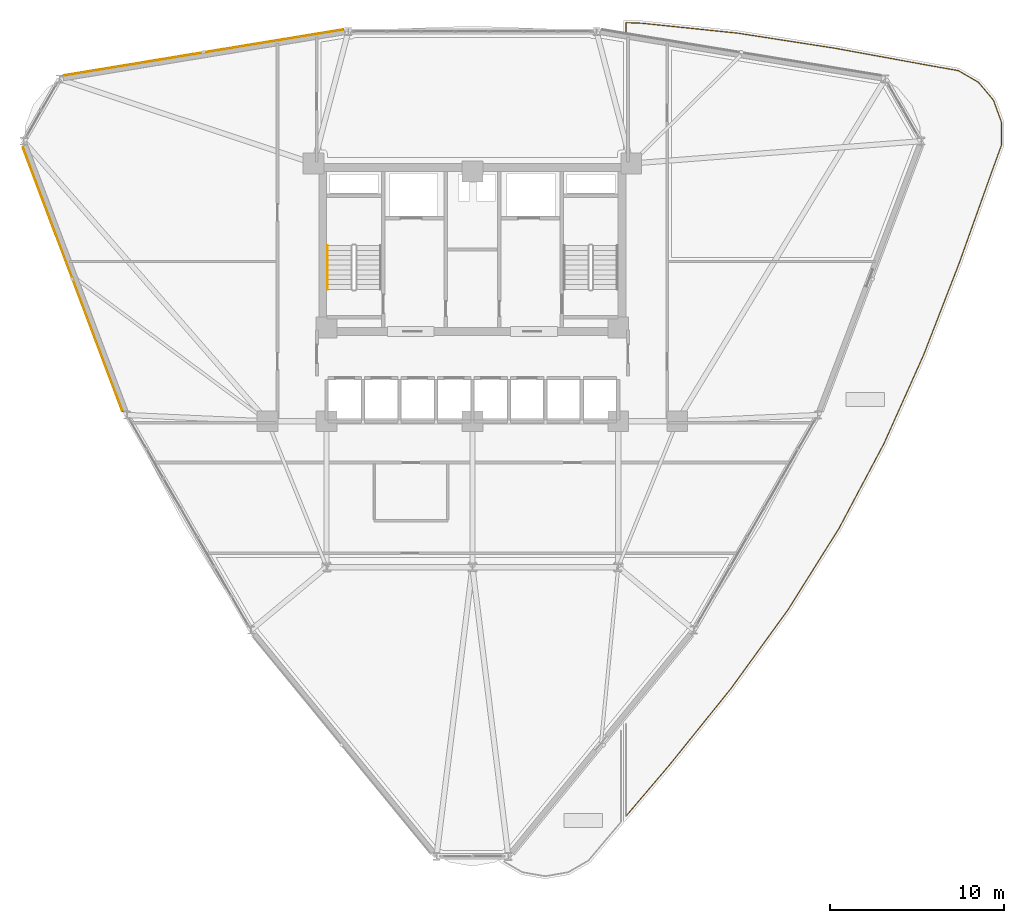
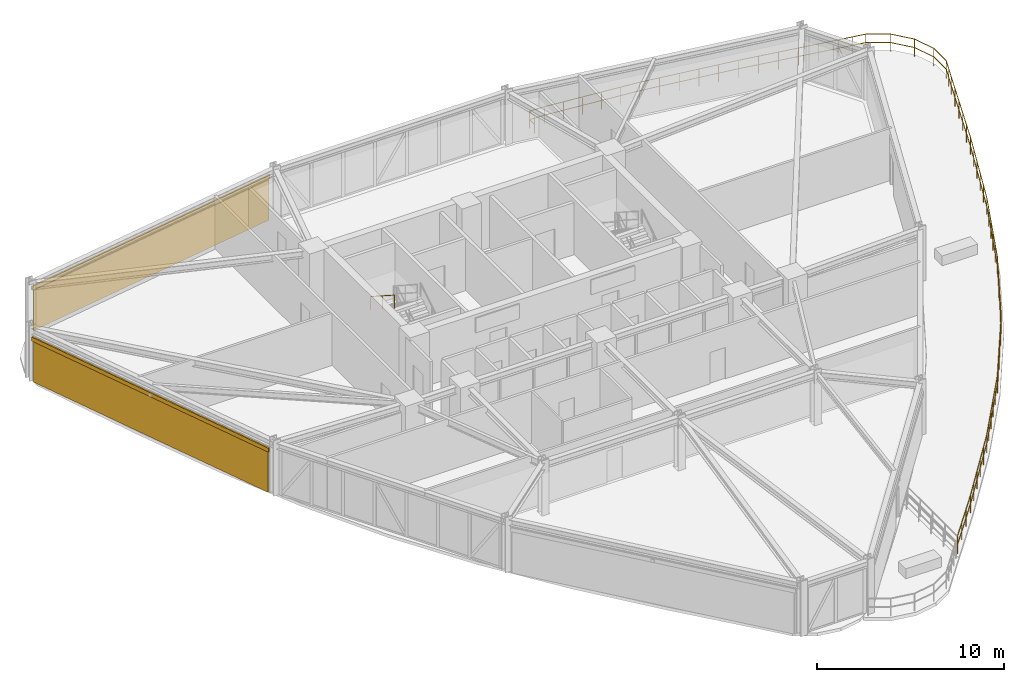
# One storey, part 22 of 23: 2 coverings, 2 railings, 2 shading devices.
"""IFC4 building model written with IfcOpenShell, lengths in metres."""

from ifc_helpers import new_model, si_unit, derived_unit, direction, frame, origin, origin_2d, place, context, subcontext, project, spatial, polyline, hollow_rectangle, circle, outline, extrude, source, transform, mapped, material, layer, layer_set, material_profile, profile_set, type_object, element, save


model = new_model("IFC4")

# Units and contexts
model_context = context("Model", 3, precision=1e-05, world=origin(), true_north=direction((0.0, 1.0)))
body_context = subcontext(model_context, "Body", "Model", "MODEL_VIEW")
ifc_project = project(units=[si_unit("LENGTHUNIT", "METRE"), si_unit("AREAUNIT", "SQUARE_METRE"), si_unit("VOLUMEUNIT", "CUBIC_METRE"), si_unit("PLANEANGLEUNIT", "RADIAN"), si_unit("MASSUNIT", "GRAM", prefix="KILO"), derived_unit("THERMALTRANSMITTANCEUNIT", [(si_unit("POWERUNIT", "WATT"), 1), (si_unit("LENGTHUNIT", "METRE"), -2), (si_unit("THERMODYNAMICTEMPERATUREUNIT", "KELVIN"), -1)])], contexts=[model_context])

# Site, building, storey
site_placement = place(None, origin())
site = spatial("IfcSite", under=ifc_project, at=site_placement, CompositionType="ELEMENT")
building_placement = place(site_placement, origin())
building = spatial("IfcBuilding", under=site, at=building_placement, Name="Korsvarv Bourse and Concert Hall", CompositionType="ELEMENT")
storey_placement = place(building_placement, frame((0.0, 0.0, 99.0)))
storey = spatial("IfcBuildingStorey", under=building, at=storey_placement, Name="L24", CompositionType="ELEMENT", Elevation=99.0)

# Coverings
ifc_material_1 = material(Name="Warm iron-oxide extruded terracotta rainscreen tile", Category="ceramic")
ifc_layer = layer(ifc_material_1, 0.044921875)
ifc_layer_set = layer_set([ifc_layer], Name="Warm iron-oxide extruded terracotta rainscreen tile")
covering_type = type_object("IfcCoveringType", Name="COV-CLD-TC", PredefinedType="CLADDING", material=ifc_layer_set)
covering_1_placement = place(storey_placement, origin())
element("IfcCovering", 1, at=covering_1_placement, inside=storey, type_object=covering_type, Name="L24 fluted terracotta cladding panel EW-L24-B04", PredefinedType="CLADDING", context=body_context, shape_type="SweptSolid", body=[
    extrude(outline(polyline([(28.535888671875, 54.9365234375), (12.48828125, 52.30078125), (12.48095703125, 52.34521484375), (28.528564453125, 54.98095703125), (28.535888671875, 54.9365234375)])), origin(), (0.0, 0.0, 1.0), 2.6298828125),
])
covering_2_placement = place(storey_placement, origin())
element("IfcCovering", 2, at=covering_2_placement, inside=storey, type_object=covering_type, Name="L24 fluted terracotta cladding panel EW-L24-B06", PredefinedType="CLADDING", context=body_context, shape_type="SweptSolid", body=[
    extrude(outline(polyline([(10.138427734375, 48.181884765625), (15.857177734375, 33.025390625), (15.81494140625, 33.009521484375), (10.09619140625, 48.166015625), (10.138427734375, 48.181884765625)])), origin(), (0.0, 0.0, 1.0), 2.6298828125),
])

# Railings
ifc_material_2 = material(Name="Laminated safety glass and stainless Steel S355 balustrade", Category="steel")
railing_type_1 = type_object("IfcRailingType", Name="RL-BAL-EXT", PredefinedType="BALUSTRADE", material=ifc_material_2)
railing_1_placement = place(storey_placement, frame((44.85009765625, 54.83984375, 0.0)))
element("IfcRailing", 3, at=railing_1_placement, inside=storey, type_object=railing_type_1, Name="L24 terrace perimeter balustrade SKYG1-2", PredefinedType="BALUSTRADE", context=body_context, shape_type="SweptSolid", body=[
    extrude(circle(Radius=0.02392578125, at=origin_2d()), frame((0.0, 0.0, 1.1259765625), z_axis=(0.0, 1.0, 0.0), x_axis=(-1.0, 0.0, 0.0)), (0.0, 0.0, 1.0), 0.524658203125),
    extrude(circle(Radius=0.02392578125, at=origin_2d()), frame((0.0, 0.0, 0.574951171875), z_axis=(0.0, 1.0, 0.0), x_axis=(-1.0, 0.0, 0.0)), (0.0, 0.0, 1.0), 0.524658203125),
    extrude(circle(Radius=0.02392578125, at=origin_2d()), frame((0.0, 0.524658203125, 1.1259765625), z_axis=(0.999330087313, -0.036597494315, 0.0), x_axis=(0.036597494315, 0.999330087313, 0.0)), (0.0, 0.0, 1.0), 0.893798828125),
    extrude(circle(Radius=0.02392578125, at=origin_2d()), frame((0.0, 0.524658203125, 0.574951171875), z_axis=(0.999330087313, -0.036597494315, 0.0), x_axis=(0.036597494315, 0.999330087313, 0.0)), (0.0, 0.0, 1.0), 0.893798828125),
    extrude(circle(Radius=0.02392578125, at=origin_2d()), frame((0.893310546875, 0.491943359375, 1.1259765625), z_axis=(0.994682223743, -0.102991619897, 0.0), x_axis=(0.102991619897, 0.994682223743, 0.0)), (0.0, 0.0, 1.0), 5.5849609375),
    extrude(circle(Radius=0.02392578125, at=origin_2d()), frame((0.893310546875, 0.491943359375, 0.574951171875), z_axis=(0.994682223743, -0.102991619897, 0.0), x_axis=(0.102991619897, 0.994682223743, 0.0)), (0.0, 0.0, 1.0), 5.5849609375),
    extrude(circle(Radius=0.02392578125, at=origin_2d()), frame((6.448486328125, -0.083251953125, 1.1259765625), z_axis=(0.988205629109, -0.153132735227, 0.0), x_axis=(0.153132735227, 0.988205629109, 0.0)), (0.0, 0.0, 1.0), 5.6455078125),
    extrude(circle(Radius=0.02392578125, at=origin_2d()), frame((6.448486328125, -0.083251953125, 0.574951171875), z_axis=(0.988205629109, -0.153132735227, 0.0), x_axis=(0.153132735227, 0.988205629109, 0.0)), (0.0, 0.0, 1.0), 5.6455078125),
    extrude(circle(Radius=0.02392578125, at=origin_2d()), frame((12.02734375, -0.94775390625, 1.1259765625), z_axis=(0.983691012335, -0.179866595707, 0.0), x_axis=(0.179866595707, 0.983691012335, 0.0)), (0.0, 0.0, 1.0), 5.692626953125),
    extrude(circle(Radius=0.02392578125, at=origin_2d()), frame((12.02734375, -0.94775390625, 0.574951171875), z_axis=(0.983691012335, -0.179866595707, 0.0), x_axis=(0.179866595707, 0.983691012335, 0.0)), (0.0, 0.0, 1.0), 5.692626953125),
    extrude(circle(Radius=0.02392578125, at=origin_2d()), frame((17.627197265625, -1.9716796875, 1.1259765625), z_axis=(0.984798007416, -0.173703438626, 0.0), x_axis=(0.173703438626, 0.984798007416, 0.0)), (0.0, 0.0, 1.0), 1.530517578125),
    extrude(circle(Radius=0.02392578125, at=origin_2d()), frame((17.627197265625, -1.9716796875, 0.574951171875), z_axis=(0.984798007416, -0.173703438626, 0.0), x_axis=(0.173703438626, 0.984798007416, 0.0)), (0.0, 0.0, 1.0), 1.530517578125),
    extrude(circle(Radius=0.02392578125, at=origin_2d()), frame((19.134521484375, -2.237548828125, 1.1259765625), z_axis=(0.86606449944, -0.499932278224, 0.0), x_axis=(0.499932278224, 0.86606449944, 0.0)), (0.0, 0.0, 1.0), 1.343017578125),
    extrude(circle(Radius=0.02392578125, at=origin_2d()), frame((19.134521484375, -2.237548828125, 0.574951171875), z_axis=(0.86606449944, -0.499932278224, 0.0), x_axis=(0.499932278224, 0.86606449944, 0.0)), (0.0, 0.0, 1.0), 1.343017578125),
    extrude(circle(Radius=0.02392578125, at=origin_2d()), frame((20.297607421875, -2.908935546875, 1.1259765625), z_axis=(0.642791253106, -0.766041385913, 0.0), x_axis=(0.766041385913, 0.642791253106, 0.0)), (0.0, 0.0, 1.0), 1.343017578125),
    extrude(circle(Radius=0.02392578125, at=origin_2d()), frame((20.297607421875, -2.908935546875, 0.574951171875), z_axis=(0.642791253106, -0.766041385913, 0.0), x_axis=(0.766041385913, 0.642791253106, 0.0)), (0.0, 0.0, 1.0), 1.343017578125),
    extrude(circle(Radius=0.02392578125, at=origin_2d()), frame((21.160888671875, -3.937744140625, 1.1259765625), z_axis=(0.342064100539, -0.939676620504, 0.0), x_axis=(0.939676620504, 0.342064100539, 0.0)), (0.0, 0.0, 1.0), 1.34326171875),
    extrude(circle(Radius=0.02392578125, at=origin_2d()), frame((21.160888671875, -3.937744140625, 0.574951171875), z_axis=(0.342064100539, -0.939676620504, 0.0), x_axis=(0.939676620504, 0.342064100539, 0.0)), (0.0, 0.0, 1.0), 1.34326171875),
    extrude(circle(Radius=0.02392578125, at=origin_2d()), frame((21.620361328125, -5.199951171875, 1.1259765625), z_axis=(0.0, -1.0, 0.0), x_axis=(1.0, 0.0, 0.0)), (0.0, 0.0, 1.0), 1.343017578125),
    extrude(circle(Radius=0.02392578125, at=origin_2d()), frame((21.620361328125, -5.199951171875, 0.574951171875), z_axis=(0.0, -1.0, 0.0), x_axis=(1.0, 0.0, 0.0)), (0.0, 0.0, 1.0), 1.343017578125),
    extrude(circle(Radius=0.02392578125, at=origin_2d()), frame((21.620361328125, -6.54296875, 1.1259765625), z_axis=(-0.34194871585, -0.939718615187, 0.0), x_axis=(0.939718615187, -0.34194871585, 0.0)), (0.0, 0.0, 1.0), 1.525146484375),
    extrude(circle(Radius=0.02392578125, at=origin_2d()), frame((21.620361328125, -6.54296875, 0.574951171875), z_axis=(-0.34194871585, -0.939718615187, 0.0), x_axis=(0.939718615187, -0.34194871585, 0.0)), (0.0, 0.0, 1.0), 1.525146484375),
    extrude(circle(Radius=0.02392578125, at=origin_2d()), frame((21.098876953125, -7.97607421875, 1.1259765625), z_axis=(-0.336149191754, -0.941808749632, 0.0), x_axis=(0.941808749632, -0.336149191754, 0.0)), (0.0, 0.0, 1.0), 5.70068359375),
    extrude(circle(Radius=0.02392578125, at=origin_2d()), frame((21.098876953125, -7.97607421875, 0.574951171875), z_axis=(-0.336149191754, -0.941808749632, 0.0), x_axis=(0.941808749632, -0.336149191754, 0.0)), (0.0, 0.0, 1.0), 5.70068359375),
    extrude(circle(Radius=0.02392578125, at=origin_2d()), frame((19.1826171875, -13.344970703125, 1.1259765625), z_axis=(-0.361450345695, -0.932391359675, 0.0), x_axis=(0.932391359675, -0.361450345695, 0.0)), (0.0, 0.0, 1.0), 5.64404296875),
    extrude(circle(Radius=0.02392578125, at=origin_2d()), frame((19.1826171875, -13.344970703125, 0.574951171875), z_axis=(-0.361450345695, -0.932391359675, 0.0), x_axis=(0.932391359675, -0.361450345695, 0.0)), (0.0, 0.0, 1.0), 5.64404296875),
    extrude(circle(Radius=0.02392578125, at=origin_2d()), frame((17.142578125, -18.607421875, 1.1259765625), z_axis=(-0.408149401998, -0.912915147014, 0.0), x_axis=(0.912915147014, -0.408149401998, 0.0)), (0.0, 0.0, 1.0), 5.58447265625),
    extrude(circle(Radius=0.02392578125, at=origin_2d()), frame((17.142578125, -18.607421875, 0.574951171875), z_axis=(-0.408149401998, -0.912915147014, 0.0), x_axis=(0.912915147014, -0.408149401998, 0.0)), (0.0, 0.0, 1.0), 5.58447265625),
    extrude(circle(Radius=0.02392578125, at=origin_2d()), frame((14.86328125, -23.70556640625, 1.1259765625), z_axis=(-0.46818502793, -0.883630454218, 0.0), x_axis=(0.883630454218, -0.46818502793, 0.0)), (0.0, 0.0, 1.0), 5.545654296875),
    extrude(circle(Radius=0.02392578125, at=origin_2d()), frame((14.86328125, -23.70556640625, 0.574951171875), z_axis=(-0.46818502793, -0.883630454218, 0.0), x_axis=(0.883630454218, -0.46818502793, 0.0)), (0.0, 0.0, 1.0), 5.545654296875),
    extrude(circle(Radius=0.02392578125, at=origin_2d()), frame((12.266845703125, -28.60595703125, 1.1259765625), z_axis=(-0.531141791953, -0.847282949693, 0.0), x_axis=(0.847282949693, -0.531141791953, 0.0)), (0.0, 0.0, 1.0), 5.547119140625),
    extrude(circle(Radius=0.02392578125, at=origin_2d()), frame((12.266845703125, -28.60595703125, 0.574951171875), z_axis=(-0.531141791953, -0.847282949693, 0.0), x_axis=(0.847282949693, -0.531141791953, 0.0)), (0.0, 0.0, 1.0), 5.547119140625),
    extrude(circle(Radius=0.02392578125, at=origin_2d()), frame((9.320556640625, -33.305908203125, 1.1259765625), z_axis=(-0.586514756426, -0.809938541184, 0.0), x_axis=(0.809938541184, -0.586514756426, 0.0)), (0.0, 0.0, 1.0), 5.5849609375),
    extrude(circle(Radius=0.02392578125, at=origin_2d()), frame((9.320556640625, -33.305908203125, 0.574951171875), z_axis=(-0.586514756426, -0.809938541184, 0.0), x_axis=(0.809938541184, -0.586514756426, 0.0)), (0.0, 0.0, 1.0), 5.5849609375),
    extrude(circle(Radius=0.02392578125, at=origin_2d()), frame((6.044921875, -37.829345703125, 1.1259765625), z_axis=(-0.626760928879, -0.779211613126, 0.0), x_axis=(0.779211613126, -0.626760928879, 0.0)), (0.0, 0.0, 1.0), 5.6435546875),
    extrude(circle(Radius=0.02392578125, at=origin_2d()), frame((6.044921875, -37.829345703125, 0.574951171875), z_axis=(-0.626760928879, -0.779211613126, 0.0), x_axis=(0.779211613126, -0.626760928879, 0.0)), (0.0, 0.0, 1.0), 5.6435546875),
    extrude(circle(Radius=0.02392578125, at=origin_2d()), frame((2.5078125, -42.226806640625, 1.1259765625), z_axis=(-0.647577047892, -0.761999978375, 0.0), x_axis=(0.761999978375, -0.647577047892, 0.0)), (0.0, 0.0, 1.0), 3.87255859375),
    extrude(circle(Radius=0.02392578125, at=origin_2d()), frame((2.5078125, -42.226806640625, 0.574951171875), z_axis=(-0.647577047892, -0.761999978375, 0.0), x_axis=(0.761999978375, -0.647577047892, 0.0)), (0.0, 0.0, 1.0), 3.87255859375),
    extrude(circle(Radius=0.02099609375, at=origin_2d()), origin(), (0.0, 0.0, 1.0), 1.101806640625),
    extrude(circle(Radius=0.02099609375, at=origin_2d()), frame((0.0, 0.524658203125, 0.0)), (0.0, 0.0, 1.0), 1.101806640625),
    extrude(circle(Radius=0.02099609375, at=origin_2d()), frame((0.893310546875, 0.491943359375, 0.0)), (0.0, 0.0, 1.0), 1.101806640625),
    extrude(circle(Radius=0.02099609375, at=origin_2d()), frame((2.00439453125, 0.376953125, 0.0)), (0.0, 0.0, 1.0), 1.101806640625),
    extrude(circle(Radius=0.02099609375, at=origin_2d()), frame((3.115478515625, 0.261962890625, 0.0)), (0.0, 0.0, 1.0), 1.101806640625),
    extrude(circle(Radius=0.02099609375, at=origin_2d()), frame((4.226318359375, 0.146728515625, 0.0)), (0.0, 0.0, 1.0), 1.101806640625),
    extrude(circle(Radius=0.02099609375, at=origin_2d()), frame((5.33740234375, 0.03173828125, 0.0)), (0.0, 0.0, 1.0), 1.101806640625),
    extrude(circle(Radius=0.02099609375, at=origin_2d()), frame((6.448486328125, -0.083251953125, 0.0)), (0.0, 0.0, 1.0), 1.101806640625),
    extrude(circle(Radius=0.02099609375, at=origin_2d()), frame((7.564208984375, -0.256103515625, 0.0)), (0.0, 0.0, 1.0), 1.101806640625),
    extrude(circle(Radius=0.02099609375, at=origin_2d()), frame((8.679931640625, -0.428955078125, 0.0)), (0.0, 0.0, 1.0), 1.101806640625),
    extrude(circle(Radius=0.02099609375, at=origin_2d()), frame((9.7958984375, -0.60205078125, 0.0)), (0.0, 0.0, 1.0), 1.101806640625),
    extrude(circle(Radius=0.02099609375, at=origin_2d()), frame((10.91162109375, -0.77490234375, 0.0)), (0.0, 0.0, 1.0), 1.101806640625),
    extrude(circle(Radius=0.02099609375, at=origin_2d()), frame((12.02734375, -0.94775390625, 0.0)), (0.0, 0.0, 1.0), 1.101806640625),
    extrude(circle(Radius=0.02099609375, at=origin_2d()), frame((13.147216796875, -1.152587890625, 0.0)), (0.0, 0.0, 1.0), 1.101806640625),
    extrude(circle(Radius=0.02099609375, at=origin_2d()), frame((14.267333984375, -1.357421875, 0.0)), (0.0, 0.0, 1.0), 1.101806640625),
    extrude(circle(Radius=0.02099609375, at=origin_2d()), frame((15.38720703125, -1.56201171875, 0.0)), (0.0, 0.0, 1.0), 1.101806640625),
    extrude(circle(Radius=0.02099609375, at=origin_2d()), frame((16.50732421875, -1.766845703125, 0.0)), (0.0, 0.0, 1.0), 1.101806640625),
    extrude(circle(Radius=0.02099609375, at=origin_2d()), frame((17.627197265625, -1.9716796875, 0.0)), (0.0, 0.0, 1.0), 1.101806640625),
    extrude(circle(Radius=0.02099609375, at=origin_2d()), frame((18.380859375, -2.1044921875, 0.0)), (0.0, 0.0, 1.0), 1.101806640625),
    extrude(circle(Radius=0.02099609375, at=origin_2d()), frame((19.134521484375, -2.237548828125, 0.0)), (0.0, 0.0, 1.0), 1.101806640625),
    extrude(circle(Radius=0.02099609375, at=origin_2d()), frame((20.297607421875, -2.908935546875, 0.0)), (0.0, 0.0, 1.0), 1.101806640625),
    extrude(circle(Radius=0.02099609375, at=origin_2d()), frame((21.160888671875, -3.937744140625, 0.0)), (0.0, 0.0, 1.0), 1.101806640625),
    extrude(circle(Radius=0.02099609375, at=origin_2d()), frame((21.620361328125, -5.199951171875, 0.0)), (0.0, 0.0, 1.0), 1.101806640625),
    extrude(circle(Radius=0.02099609375, at=origin_2d()), frame((21.620361328125, -6.54296875, 0.0)), (0.0, 0.0, 1.0), 1.101806640625),
    extrude(circle(Radius=0.02099609375, at=origin_2d()), frame((21.359619140625, -7.259521484375, 0.0)), (0.0, 0.0, 1.0), 1.101806640625),
    extrude(circle(Radius=0.02099609375, at=origin_2d()), frame((21.098876953125, -7.97607421875, 0.0)), (0.0, 0.0, 1.0), 1.101806640625),
    extrude(circle(Radius=0.02099609375, at=origin_2d()), frame((20.715576171875, -9.0498046875, 0.0)), (0.0, 0.0, 1.0), 1.101806640625),
    extrude(circle(Radius=0.02099609375, at=origin_2d()), frame((20.332275390625, -10.12353515625, 0.0)), (0.0, 0.0, 1.0), 1.101806640625),
    extrude(circle(Radius=0.02099609375, at=origin_2d()), frame((19.94921875, -11.197509765625, 0.0)), (0.0, 0.0, 1.0), 1.101806640625),
    extrude(circle(Radius=0.02099609375, at=origin_2d()), frame((19.56591796875, -12.271240234375, 0.0)), (0.0, 0.0, 1.0), 1.101806640625),
    extrude(circle(Radius=0.02099609375, at=origin_2d()), frame((19.1826171875, -13.344970703125, 0.0)), (0.0, 0.0, 1.0), 1.101806640625),
    extrude(circle(Radius=0.02099609375, at=origin_2d()), frame((18.774658203125, -14.3974609375, 0.0)), (0.0, 0.0, 1.0), 1.101806640625),
    extrude(circle(Radius=0.02099609375, at=origin_2d()), frame((18.36669921875, -15.449951171875, 0.0)), (0.0, 0.0, 1.0), 1.101806640625),
    extrude(circle(Radius=0.02099609375, at=origin_2d()), frame((17.95849609375, -16.50244140625, 0.0)), (0.0, 0.0, 1.0), 1.101806640625),
    extrude(circle(Radius=0.02099609375, at=origin_2d()), frame((17.550537109375, -17.554931640625, 0.0)), (0.0, 0.0, 1.0), 1.101806640625),
    extrude(circle(Radius=0.02099609375, at=origin_2d()), frame((17.142578125, -18.607421875, 0.0)), (0.0, 0.0, 1.0), 1.101806640625),
    extrude(circle(Radius=0.02099609375, at=origin_2d()), frame((16.686767578125, -19.626953125, 0.0)), (0.0, 0.0, 1.0), 1.101806640625),
    extrude(circle(Radius=0.02099609375, at=origin_2d()), frame((16.23095703125, -20.646728515625, 0.0)), (0.0, 0.0, 1.0), 1.101806640625),
    extrude(circle(Radius=0.02099609375, at=origin_2d()), frame((15.77490234375, -21.666259765625, 0.0)), (0.0, 0.0, 1.0), 1.101806640625),
    extrude(circle(Radius=0.02099609375, at=origin_2d()), frame((15.319091796875, -22.68603515625, 0.0)), (0.0, 0.0, 1.0), 1.101806640625),
    extrude(circle(Radius=0.02099609375, at=origin_2d()), frame((14.86328125, -23.70556640625, 0.0)), (0.0, 0.0, 1.0), 1.101806640625),
    extrude(circle(Radius=0.02099609375, at=origin_2d()), frame((14.343994140625, -24.685546875, 0.0)), (0.0, 0.0, 1.0), 1.101806640625),
    extrude(circle(Radius=0.02099609375, at=origin_2d()), frame((13.82470703125, -25.665771484375, 0.0)), (0.0, 0.0, 1.0), 1.101806640625),
    extrude(circle(Radius=0.02099609375, at=origin_2d()), frame((13.305419921875, -26.645751953125, 0.0)), (0.0, 0.0, 1.0), 1.101806640625),
    extrude(circle(Radius=0.02099609375, at=origin_2d()), frame((12.7861328125, -27.6259765625, 0.0)), (0.0, 0.0, 1.0), 1.101806640625),
    extrude(circle(Radius=0.02099609375, at=origin_2d()), frame((12.266845703125, -28.60595703125, 0.0)), (0.0, 0.0, 1.0), 1.101806640625),
    extrude(circle(Radius=0.02099609375, at=origin_2d()), frame((11.677490234375, -29.5458984375, 0.0)), (0.0, 0.0, 1.0), 1.101806640625),
    extrude(circle(Radius=0.02099609375, at=origin_2d()), frame((11.08837890625, -30.48583984375, 0.0)), (0.0, 0.0, 1.0), 1.101806640625),
    extrude(circle(Radius=0.02099609375, at=origin_2d()), frame((10.4990234375, -31.426025390625, 0.0)), (0.0, 0.0, 1.0), 1.101806640625),
    extrude(circle(Radius=0.02099609375, at=origin_2d()), frame((9.909912109375, -32.365966796875, 0.0)), (0.0, 0.0, 1.0), 1.101806640625),
    extrude(circle(Radius=0.02099609375, at=origin_2d()), frame((9.320556640625, -33.305908203125, 0.0)), (0.0, 0.0, 1.0), 1.101806640625),
    extrude(circle(Radius=0.02099609375, at=origin_2d()), frame((8.66552734375, -34.210693359375, 0.0)), (0.0, 0.0, 1.0), 1.101806640625),
    extrude(circle(Radius=0.02099609375, at=origin_2d()), frame((8.01025390625, -35.115234375, 0.0)), (0.0, 0.0, 1.0), 1.101806640625),
    extrude(circle(Radius=0.02099609375, at=origin_2d()), frame((7.355224609375, -36.02001953125, 0.0)), (0.0, 0.0, 1.0), 1.101806640625),
    extrude(circle(Radius=0.02099609375, at=origin_2d()), frame((6.699951171875, -36.924560546875, 0.0)), (0.0, 0.0, 1.0), 1.101806640625),
    extrude(circle(Radius=0.02099609375, at=origin_2d()), frame((6.044921875, -37.829345703125, 0.0)), (0.0, 0.0, 1.0), 1.101806640625),
    extrude(circle(Radius=0.02099609375, at=origin_2d()), frame((5.33740234375, -38.708740234375, 0.0)), (0.0, 0.0, 1.0), 1.101806640625),
    extrude(circle(Radius=0.02099609375, at=origin_2d()), frame((4.630126953125, -39.58837890625, 0.0)), (0.0, 0.0, 1.0), 1.101806640625),
    extrude(circle(Radius=0.02099609375, at=origin_2d()), frame((3.922607421875, -40.4677734375, 0.0)), (0.0, 0.0, 1.0), 1.101806640625),
    extrude(circle(Radius=0.02099609375, at=origin_2d()), frame((3.21533203125, -41.347412109375, 0.0)), (0.0, 0.0, 1.0), 1.101806640625),
    extrude(circle(Radius=0.02099609375, at=origin_2d()), frame((2.5078125, -42.226806640625, 0.0)), (0.0, 0.0, 1.0), 1.101806640625),
    extrude(circle(Radius=0.02099609375, at=origin_2d()), frame((1.671875, -43.21044921875, 0.0)), (0.0, 0.0, 1.0), 1.101806640625),
    extrude(circle(Radius=0.02099609375, at=origin_2d()), frame((0.8359375, -44.194091796875, 0.0)), (0.0, 0.0, 1.0), 1.101806640625),
    extrude(circle(Radius=0.02099609375, at=origin_2d()), frame((0.0, -45.177734375, 0.0)), (0.0, 0.0, 1.0), 1.101806640625),
])
ifc_material_3 = material(Name="Brushed stainless Steel S355 tubular handrail", Category="steel")
railing_type_2 = type_object("IfcRailingType", Name="RL-ST-HND", PredefinedType="HANDRAIL", material=ifc_material_3)
railing_2_placement = place(storey_placement, frame((27.64990234375, 42.52001953125, 1.97998046875)))
element("IfcRailing", 4, at=railing_2_placement, inside=storey, type_object=railing_type_2, Name="L24 ST-T1 stair handrail 2", PredefinedType="HANDRAIL", context=body_context, shape_type="SweptSolid", body=[
    extrude(circle(Radius=0.02392578125, at=origin_2d()), frame((0.0, 0.0, 0.8759765625), z_axis=(0.0, -0.841162588446, 0.540782303519), x_axis=(1.0, 0.0, 0.0)), (0.0, 0.0, 1.0), 2.995849609375),
    extrude(circle(Radius=0.02099609375, at=origin_2d()), origin(), (0.0, 0.0, 1.0), 0.851806640625),
    extrude(circle(Radius=0.02099609375, at=origin_2d()), frame((0.0, -1.260009765625, 0.81005859375)), (0.0, 0.0, 1.0), 0.851806640625),
    extrude(circle(Radius=0.02099609375, at=origin_2d()), frame((0.0, -2.52001953125, 1.6201171875)), (0.0, 0.0, 1.0), 0.851806640625),
])

# Shading devices
ifc_material_4 = material(Name="Glazed extruded architectural terracotta", Category="ceramic")
ifc_material_profile = material_profile(ifc_material_4, hollow_rectangle(XDim=0.090087890625, YDim=0.260009765625, WallThickness=0.011962890625, at=origin_2d()), Name="TC-BAG 90x260")
ifc_profile_set = profile_set([ifc_material_profile], Name="Glazed extruded architectural terracotta")
shading_device_type = type_object("IfcShadingDeviceType", Name="SHD-BAG-1", PredefinedType="USERDEFINED", material=ifc_profile_set)
shared_shape_1 = source(origin(), body_context, "Body", "SweptSolid", [
    extrude(hollow_rectangle(XDim=0.090087890625, YDim=0.260009765625, WallThickness=0.011962890625, at=origin_2d()), origin(), (0.0, 0.0, 1.0), 16.42236328125),
])
shading_device_1_placement = place(storey_placement, frame((28.608154296875, 54.989013671875, 2.7900390625), z_axis=(-0.986778909092, -0.162072158533, 0.0), x_axis=(0.162072158533, -0.986778909092, 0.0)))
element("IfcShadingDevice", 5, at=shading_device_1_placement, inside=storey, type_object=shading_device_type, Name="L24 terracotta baguette sunshade EW-L24-B04", ObjectType="BAGUETTE", PredefinedType="USERDEFINED", context=body_context, shape_type="MappedRepresentation", body=[
    mapped(shared_shape_1, transform((0.0, 0.0, 0.0), scale=1.0)),
])
shared_shape_2 = source(origin(), body_context, "Body", "SweptSolid", [
    extrude(hollow_rectangle(XDim=0.090087890625, YDim=0.260009765625, WallThickness=0.011962890625, at=origin_2d()), origin(), (0.0, 0.0, 1.0), 16.359130859375),
])
shading_device_2_placement = place(storey_placement, frame((10.07275390625, 48.242431640625, 2.7900390625), z_axis=(0.353021512356, -0.935615204993, 0.0), x_axis=(0.935615204993, 0.353021512356, 0.0)))
element("IfcShadingDevice", 6, at=shading_device_2_placement, inside=storey, type_object=shading_device_type, Name="L24 terracotta baguette sunshade EW-L24-B06", ObjectType="BAGUETTE", PredefinedType="USERDEFINED", context=body_context, shape_type="MappedRepresentation", body=[
    mapped(shared_shape_2, transform((0.0, 0.0, 0.0), scale=1.0)),
])

save(model, "model.ifc")
